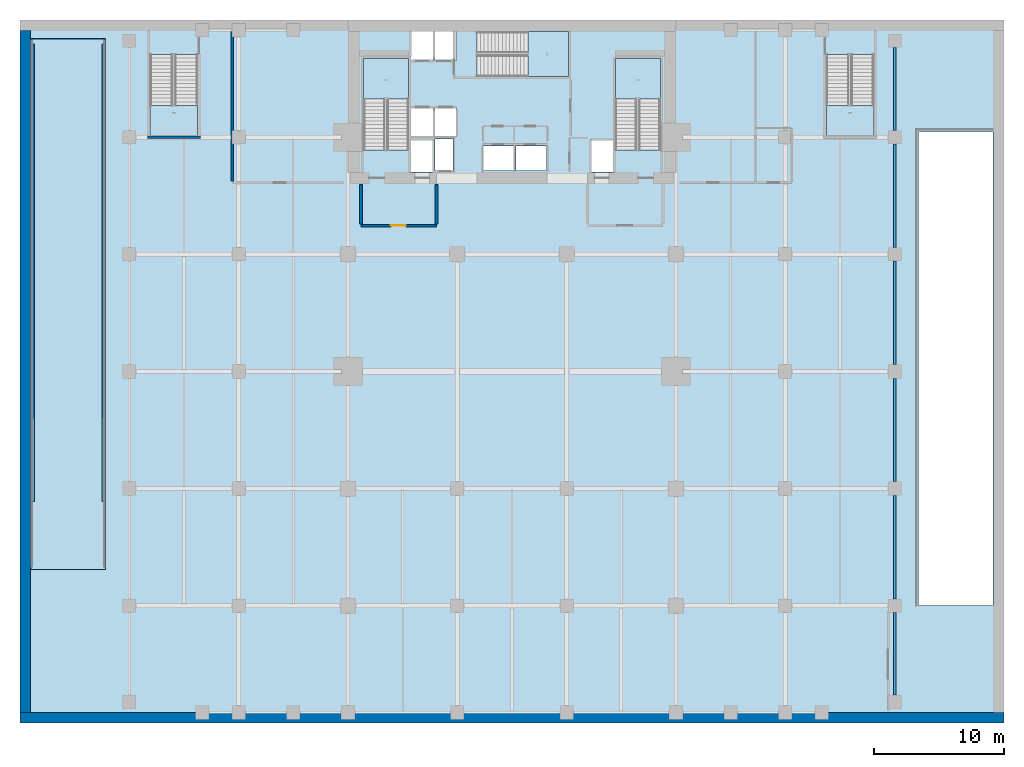
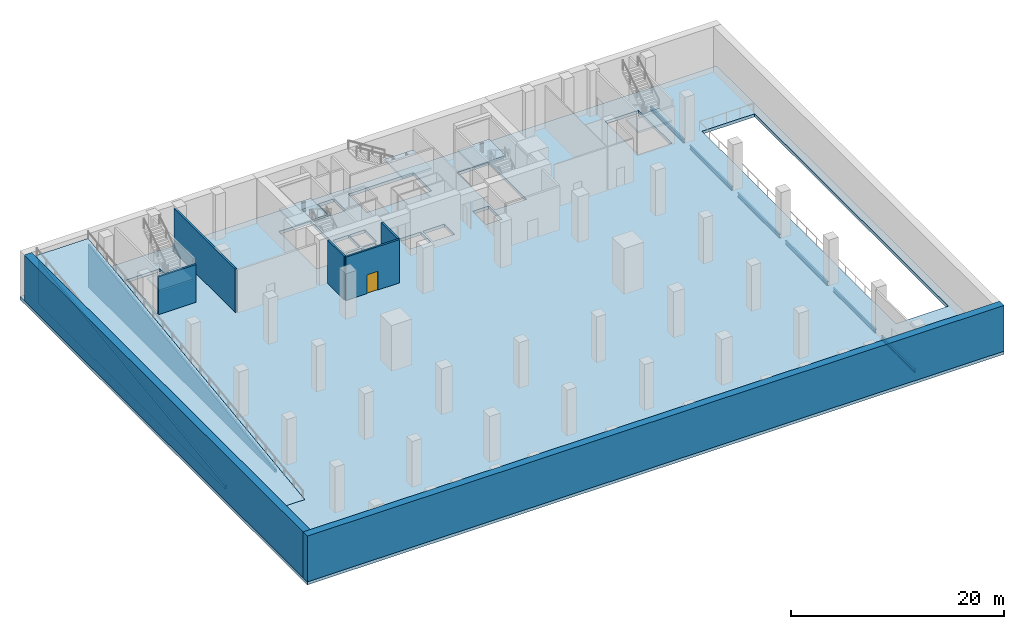
# One storey, part 3 of 10: 9 walls, 7 slabs, 6 beams, 1 door, 1 opening, 5 elements without a shape of their own.
"""IFC4 building model written with IfcOpenShell, lengths in metres."""

from ifc_helpers import new_model, si_unit, direction, frame, frame_2d, origin, origin_2d, place, context, subcontext, project, spatial, polyline, rectangle, i_section, outline, extrude, material, layer, layer_set, material_profile, profile_set, type_object, element, fill, aggregate, save


model = new_model("IFC4")

# Units and contexts
model_context = context("Model", 3, precision=1e-05, world=origin(), true_north=direction((0.0, 1.0)))
body_context = subcontext(model_context, "Body", "Model", "MODEL_VIEW")
ifc_project = project(units=[si_unit("LENGTHUNIT", "METRE"), si_unit("AREAUNIT", "SQUARE_METRE"), si_unit("VOLUMEUNIT", "CUBIC_METRE"), si_unit("PLANEANGLEUNIT", "RADIAN"), si_unit("MASSUNIT", "GRAM", prefix="KILO")], contexts=[model_context])

# Site, building, storey
site_placement = place(None, origin())
site = spatial("IfcSite", under=ifc_project, at=site_placement, CompositionType="ELEMENT")
building_placement = place(site_placement, origin())
building = spatial("IfcBuilding", under=site, at=building_placement, Name="Maruvema Waterfront Hotel and Observation Tower", CompositionType="ELEMENT")
storey_placement = place(building_placement, frame((0.0, 0.0, -5.25)))
storey = spatial("IfcBuildingStorey", under=building, at=storey_placement, Name="B01", CompositionType="ELEMENT", Elevation=-5.25)

# Beams
ifc_material_1 = material(Name="Steel ASTM A572 Grade 50", Category="steel")
ifc_material_profile = material_profile(ifc_material_1, i_section(OverallWidth=0.18994140625, OverallDepth=0.45703125, WebThickness=0.009033203125, FlangeThickness=0.014404296875, FilletRadius=0.014892578125, at=origin_2d()), Name="W460x74.0")
ifc_profile_set = profile_set([ifc_material_profile], Name="Steel ASTM A572 Grade 50")
beam_type = type_object("IfcBeamType", Name="Perimeter Spandrel Beam W460x74.0", PredefinedType="SPANDREL", material=ifc_profile_set)
beam_1_placement = place(storey_placement, frame((67.199951171875, 2.125, -0.57861328125), z_axis=(0.0, 1.0, 0.0), x_axis=(-1.0, 0.0, 0.0)))
element("IfcBeam", 1, at=beam_1_placement, inside=storey, type_object=beam_type, Name="B01 Floor Girder NS-35", PredefinedType="SPANDREL", context=body_context, shape_type="SweptSolid", body=[
    extrude(i_section(OverallWidth=0.18994140625, OverallDepth=0.45703125, WebThickness=0.009033203125, FlangeThickness=0.014404296875, FilletRadius=0.014892578125, at=origin_2d()), origin(), (0.0, 0.0, 1.0), 6.35009765625),
])
for number, where, z_axis, x_axis, name in (
    (2, (67.199951171875, 9.52490234375, -0.57861328125), (0.0, 1.0, 0.0), (-1.0, 0.0, 0.0), "B01 Floor Girder NS-36"),
    (3, (67.199951171875, 18.52490234375, -0.57861328125), (0.0, 1.0, 0.0), (-1.0, 0.0, 0.0), "B01 Floor Girder NS-37"),
    (4, (67.199951171875, 27.52490234375, -0.57861328125), (0.0, 1.0, 0.0), (-1.0, 0.0, 0.0), "B01 Floor Girder NS-38"),
    (5, (67.199951171875, 36.52490234375, -0.57861328125), (0.0, 1.0, 0.0), (-1.0, 0.0, 0.0), "B01 Floor Girder NS-39"),
):
    element("IfcBeam", number, at=place(storey_placement, frame(where, z_axis=z_axis, x_axis=x_axis)), inside=storey, type_object=beam_type, Name=name, PredefinedType="SPANDREL", context=body_context, shape_type="SweptSolid", body=[
        extrude(i_section(OverallWidth=0.18994140625, OverallDepth=0.45703125, WebThickness=0.009033203125, FlangeThickness=0.014404296875, FilletRadius=0.014892578125, at=origin_2d()), origin(), (0.0, 0.0, 1.0), 7.9501953125),
    ])
beam_2_placement = place(storey_placement, frame((67.199951171875, 45.52490234375, -0.57861328125), z_axis=(0.0, 1.0, 0.0), x_axis=(-1.0, 0.0, 0.0)))
element("IfcBeam", 6, at=beam_2_placement, inside=storey, type_object=beam_type, Name="B01 Floor Girder NS-40", PredefinedType="SPANDREL", context=body_context, shape_type="SweptSolid", body=[
    extrude(i_section(OverallWidth=0.18994140625, OverallDepth=0.45703125, WebThickness=0.009033203125, FlangeThickness=0.014404296875, FilletRadius=0.014892578125, at=origin_2d()), origin(), (0.0, 0.0, 1.0), 6.35009765625),
])

# Slab
ifc_material_2 = material(Name="Concrete C50/60", Category="concrete")
ifc_layer_1 = layer(ifc_material_2, 0.35009765625, Name="Reinforced Concrete Floor Slab 350 mm")
ifc_layer_set_1 = layer_set([ifc_layer_1], Name="Concrete C50/60")
slab_type_1 = type_object("IfcSlabType", Name="Reinforced Concrete Floor Slab 350 mm", PredefinedType="FLOOR", material=ifc_layer_set_1)
slab_1_placement = place(storey_placement, frame((0.0, 0.0, -0.35009765625)))
element("IfcSlab", 7, at=slab_1_placement, inside=storey, type_object=slab_type_1, Name="B01 Structural Floor Slab", PredefinedType="FLOOR", context=body_context, shape_type="SweptSolid", body=[
    extrude(outline(polyline([(0.0, 0.0), (75.60009765625, 0.0), (75.60009765625, 54.0), (0.0, 54.0), (0.0, 0.0)]), holes=[polyline([(13.64990234375, 51.349365234375), (13.64990234375, 45.10009765625), (10.0, 45.10009765625), (10.0, 51.349365234375), (13.64990234375, 51.349365234375)]), polyline([(26.39990234375, 44.00048828125), (26.39990234375, 51.050048828125), (29.85009765625, 51.050048828125), (29.85009765625, 44.00048828125), (26.39990234375, 44.00048828125)]), polyline([(30.050048828125, 42.320068359375), (30.050048828125, 44.800048828125), (31.75, 44.800048828125), (31.75, 42.320068359375), (30.050048828125, 42.320068359375)]), polyline([(30.050048828125, 47.25), (31.75, 47.25), (31.75, 45.050048828125), (30.050048828125, 45.050048828125), (30.050048828125, 47.25)]), polyline([(30.050048828125, 53.10009765625), (31.75, 53.10009765625), (31.75, 50.89990234375), (30.050048828125, 50.89990234375), (30.050048828125, 53.10009765625)]), polyline([(31.8798828125, 44.860107421875), (33.280029296875, 44.860107421875), (33.280029296875, 42.43994140625), (31.8798828125, 42.43994140625), (31.8798828125, 44.860107421875)]), polyline([(31.85009765625, 47.25), (33.550048828125, 47.25), (33.550048828125, 45.050048828125), (31.85009765625, 45.050048828125), (31.85009765625, 47.25)]), polyline([(31.85009765625, 53.10009765625), (33.550048828125, 53.10009765625), (33.550048828125, 50.89990234375), (31.85009765625, 50.89990234375), (31.85009765625, 53.10009765625)]), polyline([(35.6201171875, 44.320068359375), (37.89990234375, 44.320068359375), (37.89990234375, 42.419921875), (35.6201171875, 42.419921875), (35.6201171875, 44.320068359375)]), polyline([(35.1005859375, 53.10009765625), (42.14990234375, 53.10009765625), (42.14990234375, 49.64990234375), (35.1005859375, 49.64990234375), (35.1005859375, 53.10009765625)]), polyline([(38.1201171875, 44.320068359375), (40.4599609375, 44.320068359375), (40.4599609375, 42.419921875), (38.1201171875, 42.419921875), (38.1201171875, 44.320068359375)]), polyline([(43.85009765625, 44.800048828125), (45.550048828125, 44.800048828125), (45.550048828125, 42.320068359375), (43.85009765625, 42.320068359375), (43.85009765625, 44.800048828125)]), polyline([(45.75, 44.00048828125), (45.75, 51.050048828125), (49.199951171875, 51.050048828125), (49.199951171875, 44.00048828125), (45.75, 44.00048828125)]), polyline([(65.60009765625, 51.349365234375), (65.60009765625, 45.10009765625), (61.949951171875, 45.10009765625), (61.949951171875, 51.349365234375), (65.60009765625, 51.349365234375)]), polyline([(69.050048828125, 45.39990234375), (74.75, 45.39990234375), (74.75, 9.0), (69.050048828125, 9.0), (69.050048828125, 45.39990234375)])]), origin(), (0.0, 0.0, 1.0), 0.35009765625),
])

# Stair, slab
ifc_material_3 = material(Name="Concrete C50/60", Category="concrete")
stair_type_1 = type_object("IfcStairType", Name="Dogleg Exit Stair 1650 mm (30R x 175.0 mm)", PredefinedType="HALF_TURN_STAIR", material=ifc_material_3)
stair_1_placement = place(storey_placement, origin())
stair_1 = element("IfcStair", 8, at=stair_1_placement, inside=storey, type_object=stair_type_1, Name="B01 ST-01", PredefinedType="HALF_TURN_STAIR")
ifc_material_4 = material(Name="Concrete C50/60", Category="concrete")
ifc_layer_2 = layer(ifc_material_4, 0.219970703125, Name="Stair Concrete Landing Slab 220 mm")
ifc_layer_set_2 = layer_set([ifc_layer_2], Name="Concrete C50/60")
slab_type_2 = type_object("IfcSlabType", Name="Stair Concrete Landing Slab 220 mm", PredefinedType="LANDING", material=ifc_layer_set_2)
slab_2_placement = place(storey_placement, frame((0.0, 0.0, 2.405029296875)))
slab_2 = element("IfcSlab", 9, at=slab_2_placement, type_object=slab_type_2, Name="ST-01 landing 1", PredefinedType="LANDING", context=body_context, shape_type="SweptSolid", body=[
    extrude(outline(polyline([(29.85009765625, 47.919921875), (29.85009765625, 51.050048828125), (26.39990234375, 51.050048828125), (26.39990234375, 47.919921875), (29.85009765625, 47.919921875)])), origin(), (0.0, 0.0, 1.0), 0.219970703125),
])
aggregate(stair_1, [slab_2])

stair_2_placement = place(storey_placement, origin())
stair_2 = element("IfcStair", 10, at=stair_2_placement, inside=storey, type_object=stair_type_1, Name="B01 ST-02", PredefinedType="HALF_TURN_STAIR")
slab_3_placement = place(storey_placement, frame((0.0, 0.0, 2.405029296875)))
slab_3 = element("IfcSlab", 11, at=slab_3_placement, type_object=slab_type_2, Name="ST-02 landing 1", PredefinedType="LANDING", context=body_context, shape_type="SweptSolid", body=[
    extrude(outline(polyline([(39.02001953125, 49.64990234375), (42.14990234375, 49.64990234375), (42.14990234375, 53.10009765625), (39.02001953125, 53.10009765625), (39.02001953125, 49.64990234375)])), origin(), (0.0, 0.0, 1.0), 0.219970703125),
])
aggregate(stair_2, [slab_3])

stair_3_placement = place(storey_placement, origin())
stair_3 = element("IfcStair", 12, at=stair_3_placement, inside=storey, type_object=stair_type_1, Name="B01 ST-03", PredefinedType="HALF_TURN_STAIR")
slab_4_placement = place(storey_placement, frame((0.0, 0.0, 2.405029296875)))
slab_4 = element("IfcSlab", 13, at=slab_4_placement, type_object=slab_type_2, Name="ST-03 landing 1", PredefinedType="LANDING", context=body_context, shape_type="SweptSolid", body=[
    extrude(outline(polyline([(49.199951171875, 47.919921875), (49.199951171875, 51.050048828125), (45.75, 51.050048828125), (45.75, 47.919921875), (49.199951171875, 47.919921875)])), origin(), (0.0, 0.0, 1.0), 0.219970703125),
])
aggregate(stair_3, [slab_4])

ifc_material_5 = material(Name="Concrete C50/60", Category="concrete")
stair_type_2 = type_object("IfcStairType", Name="Dogleg Exit Stair 1750 mm (30R x 175.0 mm)", PredefinedType="HALF_TURN_STAIR", material=ifc_material_5)
stair_4_placement = place(storey_placement, origin())
stair_4 = element("IfcStair", 14, at=stair_4_placement, inside=storey, type_object=stair_type_2, Name="B01 ST-04", PredefinedType="HALF_TURN_STAIR")
slab_5_placement = place(storey_placement, frame((0.0, 0.0, 2.405029296875)))
slab_5 = element("IfcSlab", 15, at=slab_5_placement, type_object=slab_type_2, Name="ST-04 landing 1", PredefinedType="LANDING", context=body_context, shape_type="SweptSolid", body=[
    extrude(outline(polyline([(10.0, 47.429931640625), (10.0, 45.10009765625), (13.64990234375, 45.10009765625), (13.64990234375, 47.429931640625), (10.0, 47.429931640625)])), origin(), (0.0, 0.0, 1.0), 0.219970703125),
])
aggregate(stair_4, [slab_5])

stair_5_placement = place(storey_placement, origin())
stair_5 = element("IfcStair", 16, at=stair_5_placement, inside=storey, type_object=stair_type_2, Name="B01 ST-05", PredefinedType="HALF_TURN_STAIR")
slab_6_placement = place(storey_placement, frame((0.0, 0.0, 2.405029296875)))
slab_6 = element("IfcSlab", 17, at=slab_6_placement, type_object=slab_type_2, Name="ST-05 landing 1", PredefinedType="LANDING", context=body_context, shape_type="SweptSolid", body=[
    extrude(outline(polyline([(61.949951171875, 47.429931640625), (61.949951171875, 45.10009765625), (65.60009765625, 45.10009765625), (65.60009765625, 47.429931640625), (61.949951171875, 47.429931640625)])), origin(), (0.0, 0.0, 1.0), 0.219970703125),
])
aggregate(stair_5, [slab_6])

# Slab
ifc_material_6 = material(Name="Concrete C50/60", Category="concrete")
ifc_layer_3 = layer(ifc_material_6, 0.300048828125, Name="Two-Way Vehicle Ramp Structural Slab 300 mm")
ifc_layer_set_3 = layer_set([ifc_layer_3], Name="Concrete C50/60")
slab_type_3 = type_object("IfcSlabType", Name="Two-Way Vehicle Ramp Structural Slab 300 mm", PredefinedType="FLOOR", material=ifc_layer_set_3)
slab_7_placement = place(storey_placement, frame((0.85009765625, 11.800048828125, 0.0), z_axis=(0.0, -0.127778269633, 0.991802759529), x_axis=(1.0, 0.0, 0.0)))
element("IfcSlab", 18, at=slab_7_placement, inside=storey, type_object=slab_type_3, Name="Two-Way Vehicle Ramp Structural Slab RMP-01", PredefinedType="FLOOR", context=body_context, shape_type="SweptSolid", body=[
    extrude(outline(polyline([(0.0, 0.0), (5.699951171875, 0.0), (5.699951171875, 41.08679836638528), (0.0, 41.08679836638528), (0.0, 0.0)])), origin(), (0.0, 0.0, -1.0), 0.300048828125),
])

# Walls
ifc_material_7 = material(Name="Concrete C60/75", Category="concrete")
ifc_layer_4 = layer(ifc_material_7, 0.800048828125, Name="Basement Retaining Diaphragm Wall 800 mm")
ifc_layer_set_4 = layer_set([ifc_layer_4], Name="Concrete C60/75")
wall_type_1 = type_object("IfcWallType", Name="Basement Retaining Diaphragm Wall 800 mm", PredefinedType="USERDEFINED", material=ifc_layer_set_4)
wall_1_placement = place(storey_placement, frame((0.0, 0.39990234375, 0.0), z_axis=(0.0, 0.0, 1.0), x_axis=(1.0, 0.0, 0.0)))
element("IfcWall", 19, at=wall_1_placement, inside=storey, type_object=wall_type_1, Name="B01 South Retaining Diaphragm Wall 800 mm", ObjectType="RETAINING WALL", PredefinedType="USERDEFINED", context=body_context, shape_type="SweptSolid", body=[
    extrude(rectangle(XDim=75.60009765625, YDim=0.800048828125, at=frame_2d((37.800048828125, 0.0))), origin(), (0.0, 0.0, 1.0), 5.25),
])
wall_2_placement = place(storey_placement, frame((0.39990234375, 0.800048828125, 0.0), z_axis=(0.0, 0.0, 1.0), x_axis=(0.0, 1.0, 0.0)))
element("IfcWall", 20, at=wall_2_placement, inside=storey, type_object=wall_type_1, Name="B01 West Retaining Diaphragm Wall 800 mm", ObjectType="RETAINING WALL", PredefinedType="USERDEFINED", context=body_context, shape_type="SweptSolid", body=[
    extrude(rectangle(XDim=52.39990234375, YDim=0.800048828125, at=frame_2d((26.199951171875, 0.0))), origin(), (0.0, 0.0, 1.0), 5.25),
])
ifc_material_8 = material(Name="Precast concrete C45/55", Category="concrete")
ifc_layer_5 = layer(ifc_material_8, 0.199951171875, Name="Core Shaft and Stairwell Enclosure Wall 200 mm")
ifc_layer_set_5 = layer_set([ifc_layer_5], Name="Precast concrete C45/55")
wall_type_2 = type_object("IfcWallType", Name="Core Shaft and Stairwell Enclosure Wall 200 mm", PredefinedType="SOLIDWALL", material=ifc_layer_set_5)
wall_3_placement = place(storey_placement, frame((9.800048828125, 45.0, 0.0), z_axis=(0.0, 0.0, 1.0), x_axis=(1.0, 0.0, 0.0)))
element("IfcWall", 21, at=wall_3_placement, inside=storey, type_object=wall_type_2, Name="B01 Stairwell ST-04 Shaft Wall", PredefinedType="SOLIDWALL", context=body_context, shape_type="SweptSolid", body=[
    extrude(rectangle(XDim=4.050048828125, YDim=0.199951171875, at=frame_2d((2.02490234375, 0.0))), origin(), (0.0, 0.0, 1.0), 4.3349609375),
])
for number, where, z_axis, x_axis, name in (
    (22, (1.0, 17.0, 0.0), (0.0, 0.0, 1.0), (0.0, 1.0, 0.0), "B01 Vehicle Ramp RMP-01 W Support Wall"),
    (23, (6.39990234375, 17.0, 0.0), (0.0, 0.0, 1.0), (0.0, 1.0, 0.0), "B01 Vehicle Ramp RMP-01 E Support Wall"),
):
    element("IfcWall", number, at=place(storey_placement, frame(where, z_axis=z_axis, x_axis=x_axis)), inside=storey, type_object=wall_type_2, Name=name, PredefinedType="SOLIDWALL", context=body_context, shape_type="SweptSolid", body=[
        extrude(outline(polyline([(0.0, 0.0), (35.14990234375, 0.0), (35.14990234375, 4.908447265625), (0.0, 0.3798828125), (0.0, 0.0)])), frame((0.0, 0.10009765625, 0.0), z_axis=(0.0, -1.0, 0.0), x_axis=(1.0, 0.0, 0.0)), (0.0, 0.0, 1.0), 0.199951171875),
    ])

# Wall, opening, door
ifc_material_9 = material(Name="Autoclaved cellular concrete blockwork", Category="masonry")
ifc_layer_6 = layer(ifc_material_9, 0.199951171875, Name="Fire Compartment Masonry Wall 200 mm")
ifc_layer_set_6 = layer_set([ifc_layer_6], Name="Autoclaved cellular concrete blockwork")
wall_type_3 = type_object("IfcWallType", Name="Fire Compartment Masonry Wall 200 mm", PredefinedType="PARTITIONING", material=ifc_layer_set_6)
wall_4_placement = place(storey_placement, frame((26.199951171875, 38.199951171875, 0.0), z_axis=(0.0, 0.0, 1.0), x_axis=(1.0, 0.0, 0.0)))
wall_4 = element("IfcWall", 24, at=wall_4_placement, inside=storey, type_object=wall_type_3, Name="B01 FFL West South Wall 001", PredefinedType="PARTITIONING", context=body_context, shape_type="SweptSolid", body=[
    extrude(rectangle(XDim=5.800048828125, YDim=0.199951171875, at=frame_2d((2.89990234375, 0.0))), origin(), (0.0, 0.0, 1.0), 4.969970703125),
])
opening_placement = place(wall_4_placement, frame((2.300048828125, 0.0, 0.0)))
opening = element("IfcOpeningElement", 25, at=opening_placement, cuts=wall_4, Name="Opening FD-115", PredefinedType="OPENING", context=body_context, shape_type="SweptSolid", body=[
    extrude(rectangle(XDim=1.14990234375, YDim=2.14990234375, at=frame_2d((0.574951171875, 1.074951171875))), frame((0.0, 0.10986328125, 0.0), z_axis=(0.0, -1.0, 0.0), x_axis=(1.0, 0.0, 0.0)), (0.0, 0.0, 1.0), 0.219970703125),
])
ifc_material_10 = material(Name="Fire-rated galvanised steel and vision glass", Category="steel")
door_type = type_object("IfcDoorType", Name="Firefighting Lobby Fire Door 1150x2150 mm", OperationType="NOTDEFINED", PredefinedType="DOOR", material=ifc_material_10)
door_placement = place(opening_placement, frame((1.14990234375, 0.0, 0.0), z_axis=(0.0, 0.0, 1.0), x_axis=(-1.0, 0.0, 0.0)))
door = element("IfcDoor", 26, at=door_placement, inside=storey, type_object=door_type, Name="B01 Firefighting Lobby West Door", OperationType="SINGLE_SWING_RIGHT", OverallHeight=2.14990234375, OverallWidth=1.14990234375, PredefinedType="DOOR", context=body_context, shape_type="SweptSolid", body=[
    extrude(rectangle(XDim=1.14990234375, YDim=2.14990234375, at=frame_2d((0.574951171875, 1.074951171875))), frame((0.0, 0.02490234375, 0.0), z_axis=(0.0, -1.0, 0.0), x_axis=(1.0, 0.0, 0.0)), (0.0, 0.0, 1.0), 0.050048828125),
])
fill(opening, door)

# Walls
for number, where, z_axis, x_axis, name in (
    (27, (26.199951171875, 38.31005859375, 0.0), (0.0, 0.0, 1.0), (0.0, 1.0, 0.0), "B01 FFL West West Wall 002"),
    (28, (32.0, 38.31005859375, 0.0), (0.0, 0.0, 1.0), (0.0, 1.0, 0.0), "B01 FFL West East Wall 003"),
):
    element("IfcWall", number, at=place(storey_placement, frame(where, z_axis=z_axis, x_axis=x_axis)), inside=storey, type_object=wall_type_3, Name=name, PredefinedType="PARTITIONING", context=body_context, shape_type="SweptSolid", body=[
        extrude(rectangle(XDim=3.06982421875, YDim=0.199951171875, at=frame_2d((1.534912109375, 0.0))), origin(), (0.0, 0.0, 1.0), 4.969970703125),
    ])
wall_5_placement = place(storey_placement, frame((16.300048828125, 41.6201171875, 0.0), z_axis=(0.0, 0.0, 1.0), x_axis=(0.0, 1.0, 0.0)))
element("IfcWall", 29, at=wall_5_placement, inside=storey, type_object=wall_type_3, Name="B01 B01 NW Plant West Wall 025", PredefinedType="PARTITIONING", context=body_context, shape_type="SweptSolid", body=[
    extrude(rectangle(XDim=11.47998046875, YDim=0.199951171875, at=frame_2d((5.739990234375, 0.0))), origin(), (0.0, 0.0, 1.0), 4.969970703125),
])

save(model, "model.ifc")
